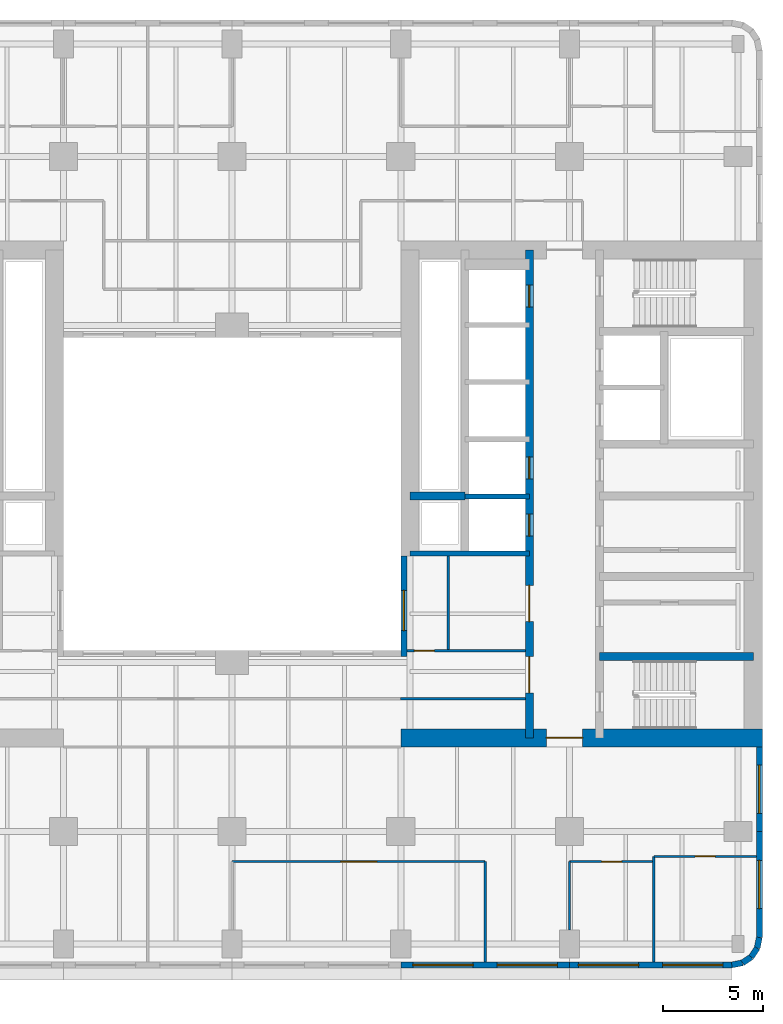
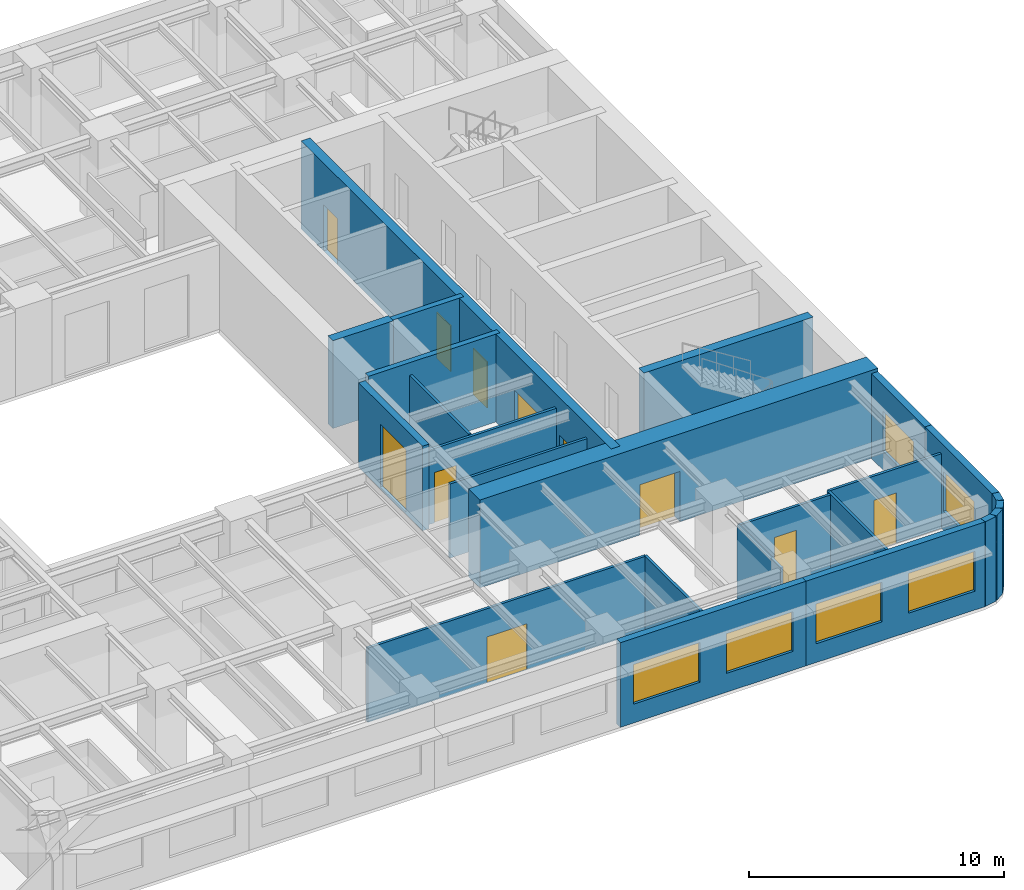
# One storey, part 5 of 11: 24 walls, 10 doors, 7 windows, 17 openings.
"""IFC4 building model written with IfcOpenShell, lengths in metres."""

from ifc_helpers import new_model, si_unit, direction, frame, frame_2d, origin, place, context, subcontext, project, spatial, rectangle, extrude, material, layer, layer_set, type_object, element, fill, save


model = new_model("IFC4")

# Units and contexts
model_context = context("Model", 3, precision=1e-05, world=origin(), true_north=direction((0.0, 1.0)))
body_context = subcontext(model_context, "Body", "Model", "MODEL_VIEW")
ifc_project = project(units=[si_unit("LENGTHUNIT", "METRE"), si_unit("AREAUNIT", "SQUARE_METRE"), si_unit("VOLUMEUNIT", "CUBIC_METRE"), si_unit("PLANEANGLEUNIT", "RADIAN"), si_unit("MASSUNIT", "GRAM", prefix="KILO")], contexts=[model_context])

# Site, building, storey
site_placement = place(None, origin())
site = spatial("IfcSite", under=ifc_project, at=site_placement, CompositionType="ELEMENT")
building_placement = place(site_placement, origin())
building = spatial("IfcBuilding", under=site, at=building_placement, Name="Claustro Exchange Tower", CompositionType="ELEMENT")
storey_placement = place(building_placement, frame((0.0, 0.0, 142.800048828125)))
storey = spatial("IfcBuildingStorey", under=building, at=storey_placement, Name="L32", CompositionType="ELEMENT", Elevation=142.800048828125)

# Wall, opening, door
ifc_material_1 = material(Name="Laminated glass in aluminium frame", Category="aluminium")
ifc_layer_1 = layer(ifc_material_1, 0.1201171875)
ifc_layer_set_1 = layer_set([ifc_layer_1], Name="Laminated glass in aluminium frame")
wall_type_1 = type_object("IfcWallType", Name="P2 120 glazed partition", PredefinedType="PARTITIONING", material=ifc_layer_set_1)
wall_1_placement = place(storey_placement, frame((33.89794921875, 17.39990234375, 0.0), z_axis=(0.0, 0.0, 1.0), x_axis=(1.0, 0.0, 0.0)))
wall_1 = element("IfcWall", 1, at=wall_1_placement, inside=storey, type_object=wall_type_1, Name="Partition P2 L32", PredefinedType="PARTITIONING", context=body_context, shape_type="SweptSolid", body=[
    extrude(rectangle(XDim=5.904052734375, YDim=0.1201171875, at=frame_2d((2.9521484375, 0.0))), origin(), (0.0, 0.0, 1.0), 3.550048828125),
])
opening_1_placement = place(wall_1_placement, frame((0.3798828125, 0.0, 0.0)))
opening_1 = element("IfcOpeningElement", 2, at=opening_1_placement, cuts=wall_1, Name="Opening D7", PredefinedType="OPENING", context=body_context, shape_type="SweptSolid", body=[
    extrude(rectangle(XDim=1.0, YDim=2.39990234375, at=frame_2d((0.5, 1.199951171875))), frame((0.0, 0.070068359375, 0.0), z_axis=(0.0, -1.0, 0.0), x_axis=(1.0, 0.0, 0.0)), (0.0, 0.0, 1.0), 0.14013671875),
])
ifc_material_2 = material(Name="Glass door in aluminium frame", Category="aluminium")
door_type_1 = type_object("IfcDoorType", Name="D7 1000 x 2400 glazed door", OperationType="SINGLE_SWING_LEFT", PredefinedType="DOOR", material=ifc_material_2)
door_1_placement = place(opening_1_placement, origin())
door_1 = element("IfcDoor", 3, at=door_1_placement, inside=storey, type_object=door_type_1, Name="Door D7 L32", OperationType="SINGLE_SWING_RIGHT", OverallHeight=2.39990234375, OverallWidth=1.0, PredefinedType="DOOR", context=body_context, shape_type="SweptSolid", body=[
    extrude(rectangle(XDim=1.0, YDim=2.39990234375, at=frame_2d((0.5, 1.199951171875))), frame((0.0, 0.02490234375, 0.0), z_axis=(0.0, -1.0, 0.0), x_axis=(1.0, 0.0, 0.0)), (0.0, 0.0, 1.0), 0.050048828125),
])
fill(opening_1, door_1)

# Wall
wall_2_placement = place(storey_placement, frame((35.9560546875, 17.4580078125, 0.0), z_axis=(0.0, 0.0, 1.0), x_axis=(0.0, 1.0, 0.0)))
element("IfcWall", 4, at=wall_2_placement, inside=storey, type_object=wall_type_1, Name="Partition P2 L32", PredefinedType="PARTITIONING", context=body_context, shape_type="SweptSolid", body=[
    extrude(rectangle(XDim=4.64404296875, YDim=0.1201171875, at=frame_2d((2.322021484375, 0.0))), origin(), (0.0, 0.0, 1.0), 3.599853515625),
])

# Wall, opening, door
wall_3_placement = place(storey_placement, frame((25.199951171875, 6.89990234375, 0.0), z_axis=(0.0, 0.0, 1.0), x_axis=(1.0, 0.0, 0.0)))
wall_3 = element("IfcWall", 5, at=wall_3_placement, inside=storey, type_object=wall_type_1, Name="Partition P2 L32", PredefinedType="PARTITIONING", context=body_context, shape_type="SweptSolid", body=[
    extrude(rectangle(XDim=12.60009765625, YDim=0.1201171875, at=frame_2d((6.300048828125, 0.0))), origin(), (0.0, 0.0, 1.0), 3.550048828125),
])
opening_2_placement = place(wall_3_placement, frame((5.39990234375, 0.0, 0.0)))
opening_2 = element("IfcOpeningElement", 6, at=opening_2_placement, cuts=wall_3, Name="Opening D2", PredefinedType="OPENING", context=body_context, shape_type="SweptSolid", body=[
    extrude(rectangle(XDim=1.800048828125, YDim=2.199951171875, at=frame_2d((0.89990234375, 1.10009765625))), frame((0.0, 0.070068359375, 0.0), z_axis=(0.0, -1.0, 0.0), x_axis=(1.0, 0.0, 0.0)), (0.0, 0.0, 1.0), 0.14013671875),
])
ifc_material_3 = material(Name="Timber door, oak veneer", Category="wood")
door_type_2 = type_object("IfcDoorType", Name="D2 1800 x 2200 double door", OperationType="DOUBLE_DOOR_SINGLE_SWING", PredefinedType="DOOR", material=ifc_material_3)
door_2_placement = place(opening_2_placement, frame((1.800048828125, 0.0, 0.0), z_axis=(0.0, 0.0, 1.0), x_axis=(-1.0, 0.0, 0.0)))
door_2 = element("IfcDoor", 7, at=door_2_placement, inside=storey, type_object=door_type_2, Name="Double door D2 L32", OperationType="DOUBLE_DOOR_SINGLE_SWING", OverallHeight=2.199951171875, OverallWidth=1.800048828125, PredefinedType="DOOR", context=body_context, shape_type="SweptSolid", body=[
    extrude(rectangle(XDim=1.800048828125, YDim=2.199951171875, at=frame_2d((0.89990234375, 1.10009765625))), frame((0.0, 0.02490234375, 0.0), z_axis=(0.0, -1.0, 0.0), x_axis=(1.0, 0.0, 0.0)), (0.0, 0.0, 1.0), 0.050048828125),
])
fill(opening_2, door_2)

# Wall
wall_4_placement = place(storey_placement, frame((37.800048828125, 1.89794921875, 0.0), z_axis=(0.0, 0.0, 1.0), x_axis=(0.0, 1.0, 0.0)))
element("IfcWall", 8, at=wall_4_placement, inside=storey, type_object=wall_type_1, Name="Partition P2 L32", PredefinedType="PARTITIONING", context=body_context, shape_type="SweptSolid", body=[
    extrude(rectangle(XDim=5.001953125, YDim=0.1201171875, at=frame_2d((2.5009765625, 0.0))), origin(), (0.0, 0.0, 1.0), 3.56005859375),
])

# Wall, opening, door
wall_5_placement = place(storey_placement, frame((46.199951171875, 7.14990234375, 0.0), z_axis=(0.0, 0.0, 1.0), x_axis=(1.0, 0.0, 0.0)))
wall_5 = element("IfcWall", 9, at=wall_5_placement, inside=storey, type_object=wall_type_1, Name="Partition P2 L32", PredefinedType="PARTITIONING", context=body_context, shape_type="SweptSolid", body=[
    extrude(rectangle(XDim=5.10205078125, YDim=0.1201171875, at=frame_2d((2.551025390625, 0.0))), origin(), (0.0, 0.0, 1.0), 3.56005859375),
])
opening_3_placement = place(wall_5_placement, frame((2.050048828125, 0.0, 0.0)))
opening_3 = element("IfcOpeningElement", 10, at=opening_3_placement, cuts=wall_5, Name="Opening D7", PredefinedType="OPENING", context=body_context, shape_type="SweptSolid", body=[
    extrude(rectangle(XDim=1.0, YDim=2.39990234375, at=frame_2d((0.5, 1.199951171875))), frame((0.0, 0.070068359375, 0.0), z_axis=(0.0, -1.0, 0.0), x_axis=(1.0, 0.0, 0.0)), (0.0, 0.0, 1.0), 0.14013671875),
])
door_3_placement = place(opening_3_placement, frame((1.0, 0.0, 0.0), z_axis=(0.0, 0.0, 1.0), x_axis=(-1.0, 0.0, 0.0)))
door_3 = element("IfcDoor", 11, at=door_3_placement, inside=storey, type_object=door_type_1, Name="Door D7 L32", OperationType="SINGLE_SWING_RIGHT", OverallHeight=2.39990234375, OverallWidth=1.0, PredefinedType="DOOR", context=body_context, shape_type="SweptSolid", body=[
    extrude(rectangle(XDim=1.0, YDim=2.39990234375, at=frame_2d((0.5, 1.199951171875))), frame((0.0, 0.02490234375, 0.0), z_axis=(0.0, -1.0, 0.0), x_axis=(1.0, 0.0, 0.0)), (0.0, 0.0, 1.0), 0.050048828125),
])
fill(opening_3, door_3)

wall_6_placement = place(storey_placement, frame((42.0, 6.89990234375, 0.0), z_axis=(0.0, 0.0, 1.0), x_axis=(1.0, 0.0, 0.0)))
wall_6 = element("IfcWall", 12, at=wall_6_placement, inside=storey, type_object=wall_type_1, Name="Partition P2 L32", PredefinedType="PARTITIONING", context=body_context, shape_type="SweptSolid", body=[
    extrude(rectangle(XDim=4.14208984375, YDim=0.1201171875, at=frame_2d((2.071044921875, 0.0))), origin(), (0.0, 0.0, 1.0), 3.550048828125),
])
opening_4_placement = place(wall_6_placement, frame((1.60009765625, 0.0, 0.0)))
opening_4 = element("IfcOpeningElement", 13, at=opening_4_placement, cuts=wall_6, Name="Opening D7", PredefinedType="OPENING", context=body_context, shape_type="SweptSolid", body=[
    extrude(rectangle(XDim=1.0, YDim=2.39990234375, at=frame_2d((0.5, 1.199951171875))), frame((0.0, 0.070068359375, 0.0), z_axis=(0.0, -1.0, 0.0), x_axis=(1.0, 0.0, 0.0)), (0.0, 0.0, 1.0), 0.14013671875),
])
door_4_placement = place(opening_4_placement, frame((1.0, 0.0, 0.0), z_axis=(0.0, 0.0, 1.0), x_axis=(-1.0, 0.0, 0.0)))
door_4 = element("IfcDoor", 14, at=door_4_placement, inside=storey, type_object=door_type_1, Name="Door D7 L32", OperationType="SINGLE_SWING_RIGHT", OverallHeight=2.39990234375, OverallWidth=1.0, PredefinedType="DOOR", context=body_context, shape_type="SweptSolid", body=[
    extrude(rectangle(XDim=1.0, YDim=2.39990234375, at=frame_2d((0.5, 1.199951171875))), frame((0.0, 0.02490234375, 0.0), z_axis=(0.0, -1.0, 0.0), x_axis=(1.0, 0.0, 0.0)), (0.0, 0.0, 1.0), 0.050048828125),
])
fill(opening_4, door_4)

# Walls
wall_7_placement = place(storey_placement, frame((42.0, 3.4990234375, 0.0), z_axis=(0.0, 0.0, 1.0), x_axis=(0.0, 1.0, 0.0)))
element("IfcWall", 15, at=wall_7_placement, inside=storey, type_object=wall_type_1, Name="Partition P2 L32", PredefinedType="PARTITIONING", context=body_context, shape_type="SweptSolid", body=[
    extrude(rectangle(XDim=3.40087890625, YDim=0.1201171875, at=frame_2d((1.700439453125, 0.0))), origin(), (0.0, 0.0, 1.0), 3.550048828125),
])
wall_8_placement = place(storey_placement, frame((46.199951171875, 1.89794921875, 0.0), z_axis=(0.0, 0.0, 1.0), x_axis=(0.0, 1.0, 0.0)))
element("IfcWall", 16, at=wall_8_placement, inside=storey, type_object=wall_type_1, Name="Partition P2 L32", PredefinedType="PARTITIONING", context=body_context, shape_type="SweptSolid", body=[
    extrude(rectangle(XDim=5.251953125, YDim=0.1201171875, at=frame_2d((2.6259765625, 0.0))), origin(), (0.0, 0.0, 1.0), 3.56005859375),
])
wall_9_placement = place(storey_placement, frame((33.597900390625, 15.0, 0.0), z_axis=(0.0, 0.0, 1.0), x_axis=(1.0, 0.0, 0.0)))
element("IfcWall", 17, at=wall_9_placement, inside=storey, type_object=wall_type_1, Name="Partition P2 L32", PredefinedType="PARTITIONING", context=body_context, shape_type="SweptSolid", body=[
    extrude(rectangle(XDim=6.2041015625, YDim=0.1201171875, at=frame_2d((3.10205078125, 0.0))), origin(), (0.0, 0.0, 1.0), 3.550048828125),
])

# Wall, openings, windows
ifc_material_4 = material(Name="Concrete HA-40 (C40/50), precast, white cement, acid-etched", Category="concrete")
ifc_layer_2 = layer(ifc_material_4, 0.300048828125)
ifc_layer_set_2 = layer_set([ifc_layer_2], Name="Concrete HA-40 (C40/50), precast, white cement, acid-etched")
wall_type_2 = type_object("IfcWallType", Name="PC1 300 precast concrete pier panel", PredefinedType="SOLIDWALL", material=ifc_layer_set_2)
wall_10_placement = place(storey_placement, frame((50.085205078125, 1.75, 0.0), z_axis=(0.0, 0.0, 1.0), x_axis=(-1.0, 0.0, 0.0)))
wall_10 = element("IfcWall", 18, at=wall_10_placement, inside=storey, type_object=wall_type_2, Name="Precast pier panel PC1 L32", PredefinedType="SOLIDWALL", context=body_context, shape_type="SweptSolid", body=[
    extrude(rectangle(XDim=8.085205078125, YDim=0.300048828125, at=frame_2d((4.04248046875, 0.0))), origin(), (0.0, 0.0, 1.0), 4.050048828125),
])
opening_5_placement = place(wall_10_placement, frame((0.442626953125, 0.0, 0.89990234375)))
opening_5 = element("IfcOpeningElement", 19, at=opening_5_placement, cuts=wall_10, Name="Opening W1", PredefinedType="OPENING", context=body_context, shape_type="SweptSolid", body=[
    extrude(rectangle(XDim=3.0, YDim=1.89990234375, at=frame_2d((1.5, 0.949951171875))), frame((0.0, 0.159912109375, 0.0), z_axis=(0.0, -1.0, 0.0), x_axis=(1.0, 0.0, 0.0)), (0.0, 0.0, 1.0), 0.320068359375),
])
opening_6_placement = place(wall_10_placement, frame((4.642578125, 0.0, 0.89990234375)))
opening_6 = element("IfcOpeningElement", 20, at=opening_6_placement, cuts=wall_10, Name="Opening W1", PredefinedType="OPENING", context=body_context, shape_type="SweptSolid", body=[
    extrude(rectangle(XDim=3.0, YDim=1.89990234375, at=frame_2d((1.5, 0.949951171875))), frame((0.0, 0.159912109375, 0.0), z_axis=(0.0, -1.0, 0.0), x_axis=(1.0, 0.0, 0.0)), (0.0, 0.0, 1.0), 0.320068359375),
])
ifc_material_5 = material(Name="Aluminium frame, clear double glazing", Category="aluminium")
window_type_1 = type_object("IfcWindowType", Name="W1 3000 x 1900 window", PartitioningType="SINGLE_PANEL", PredefinedType="WINDOW", material=ifc_material_5)
window_1_placement = place(opening_5_placement, origin())
window_1 = element("IfcWindow", 21, at=window_1_placement, inside=storey, type_object=window_type_1, Name="Window W1 L32", OverallHeight=1.89990234375, OverallWidth=3.0, PartitioningType="SINGLE_PANEL", PredefinedType="WINDOW", context=body_context, shape_type="SweptSolid", body=[
    extrude(rectangle(XDim=3.0, YDim=1.89990234375, at=frame_2d((1.5, 0.949951171875))), frame((0.0, 0.030029296875, 0.0), z_axis=(0.0, -1.0, 0.0), x_axis=(1.0, 0.0, 0.0)), (0.0, 0.0, 1.0), 0.06005859375),
])
fill(opening_5, window_1)
window_2_placement = place(opening_6_placement, origin())
window_2 = element("IfcWindow", 22, at=window_2_placement, inside=storey, type_object=window_type_1, Name="Window W1 L32", OverallHeight=1.89990234375, OverallWidth=3.0, PartitioningType="SINGLE_PANEL", PredefinedType="WINDOW", context=body_context, shape_type="SweptSolid", body=[
    extrude(rectangle(XDim=3.0, YDim=1.89990234375, at=frame_2d((1.5, 0.949951171875))), frame((0.0, 0.030029296875, 0.0), z_axis=(0.0, -1.0, 0.0), x_axis=(1.0, 0.0, 0.0)), (0.0, 0.0, 1.0), 0.06005859375),
])
fill(opening_6, window_2)

wall_11_placement = place(storey_placement, frame((42.0, 1.75, 0.0), z_axis=(0.0, 0.0, 1.0), x_axis=(-1.0, 0.0, 0.0)))
wall_11 = element("IfcWall", 23, at=wall_11_placement, inside=storey, type_object=wall_type_2, Name="Precast pier panel PC1 L32", PredefinedType="SOLIDWALL", context=body_context, shape_type="SweptSolid", body=[
    extrude(rectangle(XDim=8.39990234375, YDim=0.300048828125, at=frame_2d((4.199951171875, 0.0))), origin(), (0.0, 0.0, 1.0), 4.050048828125),
])
opening_7_placement = place(wall_11_placement, frame((0.60009765625, 0.0, 0.89990234375)))
opening_7 = element("IfcOpeningElement", 24, at=opening_7_placement, cuts=wall_11, Name="Opening W1", PredefinedType="OPENING", context=body_context, shape_type="SweptSolid", body=[
    extrude(rectangle(XDim=3.0, YDim=1.89990234375, at=frame_2d((1.5, 0.949951171875))), frame((0.0, 0.159912109375, 0.0), z_axis=(0.0, -1.0, 0.0), x_axis=(1.0, 0.0, 0.0)), (0.0, 0.0, 1.0), 0.320068359375),
])
opening_8_placement = place(wall_11_placement, frame((4.800048828125, 0.0, 0.89990234375)))
opening_8 = element("IfcOpeningElement", 25, at=opening_8_placement, cuts=wall_11, Name="Opening W1", PredefinedType="OPENING", context=body_context, shape_type="SweptSolid", body=[
    extrude(rectangle(XDim=3.0, YDim=1.89990234375, at=frame_2d((1.5, 0.949951171875))), frame((0.0, 0.159912109375, 0.0), z_axis=(0.0, -1.0, 0.0), x_axis=(1.0, 0.0, 0.0)), (0.0, 0.0, 1.0), 0.320068359375),
])
window_3_placement = place(opening_7_placement, origin())
window_3 = element("IfcWindow", 26, at=window_3_placement, inside=storey, type_object=window_type_1, Name="Window W1 L32", OverallHeight=1.89990234375, OverallWidth=3.0, PartitioningType="SINGLE_PANEL", PredefinedType="WINDOW", context=body_context, shape_type="SweptSolid", body=[
    extrude(rectangle(XDim=3.0, YDim=1.89990234375, at=frame_2d((1.5, 0.949951171875))), frame((0.0, 0.030029296875, 0.0), z_axis=(0.0, -1.0, 0.0), x_axis=(1.0, 0.0, 0.0)), (0.0, 0.0, 1.0), 0.06005859375),
])
fill(opening_7, window_3)
window_4_placement = place(opening_8_placement, origin())
window_4 = element("IfcWindow", 27, at=window_4_placement, inside=storey, type_object=window_type_1, Name="Window W1 L32", OverallHeight=1.89990234375, OverallWidth=3.0, PartitioningType="SINGLE_PANEL", PredefinedType="WINDOW", context=body_context, shape_type="SweptSolid", body=[
    extrude(rectangle(XDim=3.0, YDim=1.89990234375, at=frame_2d((1.5, 0.949951171875))), frame((0.0, 0.030029296875, 0.0), z_axis=(0.0, -1.0, 0.0), x_axis=(1.0, 0.0, 0.0)), (0.0, 0.0, 1.0), 0.06005859375),
])
fill(opening_8, window_4)

# Wall, opening, window
wall_12_placement = place(storey_placement, frame((51.449951171875, 12.60009765625, 0.0), z_axis=(0.0, 0.0, 1.0), x_axis=(0.0, -1.0, 0.0)))
wall_12 = element("IfcWall", 28, at=wall_12_placement, inside=storey, type_object=wall_type_2, Name="Precast pier panel PC1 L32", PredefinedType="SOLIDWALL", context=body_context, shape_type="SweptSolid", body=[
    extrude(rectangle(XDim=4.2001953125, YDim=0.300048828125, at=frame_2d((2.10009765625, 0.0))), origin(), (0.0, 0.0, 1.0), 4.050048828125),
])
opening_9_placement = place(wall_12_placement, frame((0.89990234375, 0.0, 0.89990234375)))
opening_9 = element("IfcOpeningElement", 29, at=opening_9_placement, cuts=wall_12, Name="Opening W2", PredefinedType="OPENING", context=body_context, shape_type="SweptSolid", body=[
    extrude(rectangle(XDim=2.39990234375, YDim=1.89990234375, at=frame_2d((1.199951171875, 0.949951171875))), frame((0.0, 0.159912109375, 0.0), z_axis=(0.0, -1.0, 0.0), x_axis=(1.0, 0.0, 0.0)), (0.0, 0.0, 1.0), 0.320068359375),
])
ifc_material_6 = material(Name="Aluminium frame, clear double glazing", Category="aluminium")
window_type_2 = type_object("IfcWindowType", Name="W2 2400 x 1900 window", PartitioningType="SINGLE_PANEL", PredefinedType="WINDOW", material=ifc_material_6)
window_5_placement = place(opening_9_placement, origin())
window_5 = element("IfcWindow", 30, at=window_5_placement, inside=storey, type_object=window_type_2, Name="Window W2 L32", OverallHeight=1.89990234375, OverallWidth=2.39990234375, PartitioningType="SINGLE_PANEL", PredefinedType="WINDOW", context=body_context, shape_type="SweptSolid", body=[
    extrude(rectangle(XDim=2.39990234375, YDim=1.89990234375, at=frame_2d((1.199951171875, 0.949951171875))), frame((0.0, 0.030029296875, 0.0), z_axis=(0.0, -1.0, 0.0), x_axis=(1.0, 0.0, 0.0)), (0.0, 0.0, 1.0), 0.06005859375),
])
fill(opening_9, window_5)

wall_13_placement = place(storey_placement, frame((51.449951171875, 8.39990234375, 0.0), z_axis=(0.0, 0.0, 1.0), x_axis=(0.0, -1.0, 0.0)))
wall_13 = element("IfcWall", 31, at=wall_13_placement, inside=storey, type_object=wall_type_2, Name="Precast pier panel PC1 L32", PredefinedType="SOLIDWALL", context=body_context, shape_type="SweptSolid", body=[
    extrude(rectangle(XDim=5.28515625, YDim=0.300048828125, at=frame_2d((2.642578125, 0.0))), origin(), (0.0, 0.0, 1.0), 4.050048828125),
])
opening_10_placement = place(wall_13_placement, frame((1.442626953125, 0.0, 0.89990234375)))
opening_10 = element("IfcOpeningElement", 32, at=opening_10_placement, cuts=wall_13, Name="Opening W2", PredefinedType="OPENING", context=body_context, shape_type="SweptSolid", body=[
    extrude(rectangle(XDim=2.39990234375, YDim=1.89990234375, at=frame_2d((1.199951171875, 0.949951171875))), frame((0.0, 0.159912109375, 0.0), z_axis=(0.0, -1.0, 0.0), x_axis=(1.0, 0.0, 0.0)), (0.0, 0.0, 1.0), 0.320068359375),
])
window_6_placement = place(opening_10_placement, origin())
window_6 = element("IfcWindow", 33, at=window_6_placement, inside=storey, type_object=window_type_2, Name="Window W2 L32", OverallHeight=1.89990234375, OverallWidth=2.39990234375, PartitioningType="SINGLE_PANEL", PredefinedType="WINDOW", context=body_context, shape_type="SweptSolid", body=[
    extrude(rectangle(XDim=2.39990234375, YDim=1.89990234375, at=frame_2d((1.199951171875, 0.949951171875))), frame((0.0, 0.030029296875, 0.0), z_axis=(0.0, -1.0, 0.0), x_axis=(1.0, 0.0, 0.0)), (0.0, 0.0, 1.0), 0.06005859375),
])
fill(opening_10, window_6)

# Walls
wall_14_placement = place(storey_placement, frame((51.449951171875, 3.11474609375, 0.0), z_axis=(0.0, 0.0, 1.0), x_axis=(-0.195073962632, -0.980788534345, 0.0)))
element("IfcWall", 34, at=wall_14_placement, inside=storey, type_object=wall_type_2, Name="Precast pier panel PC1 L32", PredefinedType="SOLIDWALL", context=body_context, shape_type="SweptSolid", body=[
    extrude(rectangle(XDim=0.540771484375, YDim=0.300048828125, at=frame_2d((0.2705078125, 0.0))), origin(), (0.0, 0.0, 1.0), 4.050048828125),
])
for number, where, z_axis, x_axis, name in (
    (35, (51.344482421875, 2.58447265625, 0.0), (0.0, 0.0, 1.0), (-0.555557463938, -0.831478144188, 0.0), "Precast pier panel PC1 L32"),
    (36, (51.052490234375, 2.1474609375, 0.0), (0.0, 0.0, 1.0), (-0.831478144188, -0.555557463938, 0.0), "Precast pier panel PC1 L32"),
):
    element("IfcWall", number, at=place(storey_placement, frame(where, z_axis=z_axis, x_axis=x_axis)), inside=storey, type_object=wall_type_2, Name=name, PredefinedType="SOLIDWALL", context=body_context, shape_type="SweptSolid", body=[
        extrude(rectangle(XDim=0.525634765625, YDim=0.300048828125, at=frame_2d((0.2626953125, 0.0))), origin(), (0.0, 0.0, 1.0), 4.050048828125),
    ])
wall_15_placement = place(storey_placement, frame((50.615478515625, 1.85546875, 0.0), z_axis=(0.0, 0.0, 1.0), x_axis=(-0.980788534345, -0.195073962632, 0.0)))
element("IfcWall", 37, at=wall_15_placement, inside=storey, type_object=wall_type_2, Name="Precast pier panel PC1 L32", PredefinedType="SOLIDWALL", context=body_context, shape_type="SweptSolid", body=[
    extrude(rectangle(XDim=0.540771484375, YDim=0.300048828125, at=frame_2d((0.2705078125, 0.0))), origin(), (0.0, 0.0, 1.0), 4.050048828125),
])

# Wall, opening, window
wall_16_placement = place(storey_placement, frame((33.75, 17.10009765625, 0.0), z_axis=(0.0, 0.0, 1.0), x_axis=(0.0, 1.0, 0.0)))
wall_16 = element("IfcWall", 38, at=wall_16_placement, inside=storey, type_object=wall_type_2, Name="Precast pier panel PC1 L32", PredefinedType="SOLIDWALL", context=body_context, shape_type="SweptSolid", body=[
    extrude(rectangle(XDim=5.0, YDim=0.300048828125, at=frame_2d((2.5, 0.0))), origin(), (0.0, 0.0, 1.0), 4.050048828125),
])
opening_11_placement = place(wall_16_placement, frame((1.300048828125, 0.0, 0.10009765625)))
opening_11 = element("IfcOpeningElement", 39, at=opening_11_placement, cuts=wall_16, Name="Opening W-A", PredefinedType="OPENING", context=body_context, shape_type="SweptSolid", body=[
    extrude(rectangle(XDim=2.0, YDim=3.0, at=frame_2d((1.0, 1.5))), frame((0.0, 0.159912109375, 0.0), z_axis=(0.0, -1.0, 0.0), x_axis=(1.0, 0.0, 0.0)), (0.0, 0.0, 1.0), 0.320068359375),
])
ifc_material_7 = material(Name="Aluminium frame, clear double glazing", Category="aluminium")
window_type_3 = type_object("IfcWindowType", Name="W-A 2000 x 3000 arcade window", PartitioningType="SINGLE_PANEL", PredefinedType="WINDOW", material=ifc_material_7)
window_7_placement = place(opening_11_placement, origin())
window_7 = element("IfcWindow", 40, at=window_7_placement, inside=storey, type_object=window_type_3, Name="Window W-A L32", OverallHeight=3.0, OverallWidth=2.0, PartitioningType="SINGLE_PANEL", PredefinedType="WINDOW", context=body_context, shape_type="SweptSolid", body=[
    extrude(rectangle(XDim=2.0, YDim=3.0, at=frame_2d((1.0, 1.5))), frame((0.0, 0.030029296875, 0.0), z_axis=(0.0, -1.0, 0.0), x_axis=(1.0, 0.0, 0.0)), (0.0, 0.0, 1.0), 0.06005859375),
])
fill(opening_11, window_7)

# Wall, opening, door
ifc_material_8 = material(Name="Concrete HA-70 (C70/85)", Category="concrete")
ifc_layer_3 = layer(ifc_material_8, 0.89990234375)
ifc_layer_set_3 = layer_set([ifc_layer_3], Name="Concrete HA-70 (C70/85)")
wall_type_3 = type_object("IfcWallType", Name="SW1 900 core shear wall", PredefinedType="SHEAR", material=ifc_layer_set_3)
wall_17_placement = place(storey_placement, frame((33.60009765625, 13.050048828125, 0.0), z_axis=(0.0, 0.0, 1.0), x_axis=(1.0, 0.0, 0.0)))
wall_17 = element("IfcWall", 41, at=wall_17_placement, inside=storey, type_object=wall_type_3, Name="Core wall SW1 E core S face L32", PredefinedType="SHEAR", context=body_context, shape_type="SweptSolid", body=[
    extrude(rectangle(XDim=18.0, YDim=0.89990234375, at=frame_2d((9.0, 0.0))), origin(), (0.0, 0.0, 1.0), 4.199951171875),
])
opening_12_placement = place(wall_17_placement, frame((7.25, 0.0, 0.0)))
opening_12 = element("IfcOpeningElement", 42, at=opening_12_placement, cuts=wall_17, Name="Opening D3", PredefinedType="OPENING", context=body_context, shape_type="SweptSolid", body=[
    extrude(rectangle(XDim=1.800048828125, YDim=2.39990234375, at=frame_2d((0.89990234375, 1.199951171875))), frame((0.0, 0.4599609375, 0.0), z_axis=(0.0, -1.0, 0.0), x_axis=(1.0, 0.0, 0.0)), (0.0, 0.0, 1.0), 0.919921875),
])
ifc_material_9 = material(Name="Steel fire door, painted", Category="steel")
door_type_3 = type_object("IfcDoorType", Name="D3 1800 x 2400 fire-rated lobby double door", OperationType="DOUBLE_DOOR_SINGLE_SWING", PredefinedType="DOOR", material=ifc_material_9)
door_5_placement = place(opening_12_placement, frame((1.800048828125, 0.0, 0.0), z_axis=(0.0, 0.0, 1.0), x_axis=(-1.0, 0.0, 0.0)))
door_5 = element("IfcDoor", 43, at=door_5_placement, inside=storey, type_object=door_type_3, Name="Lift lobby door D3 L32", OperationType="DOUBLE_DOOR_SINGLE_SWING", OverallHeight=2.39990234375, OverallWidth=1.800048828125, PredefinedType="DOOR", context=body_context, shape_type="SweptSolid", body=[
    extrude(rectangle(XDim=1.800048828125, YDim=2.39990234375, at=frame_2d((0.89990234375, 1.199951171875))), frame((0.0, 0.02490234375, 0.0), z_axis=(0.0, -1.0, 0.0), x_axis=(1.0, 0.0, 0.0)), (0.0, 0.0, 1.0), 0.050048828125),
])
fill(opening_12, door_5)

# Wall, openings, doors
ifc_material_10 = material(Name="Concrete HA-50 (C50/60)", Category="concrete")
ifc_layer_4 = layer(ifc_material_10, 0.39990234375)
ifc_layer_set_4 = layer_set([ifc_layer_4], Name="Concrete HA-50 (C50/60)")
wall_type_4 = type_object("IfcWallType", Name="SW4 400 internal core wall", PredefinedType="SHEAR", material=ifc_layer_set_4)
wall_18_placement = place(storey_placement, frame((40.0, 13.050048828125, 0.0), z_axis=(0.0, 0.0, 1.0), x_axis=(0.0, 1.0, 0.0)))
wall_18 = element("IfcWall", 44, at=wall_18_placement, inside=storey, type_object=wall_type_4, Name="Internal core wall SW4 E core L32", PredefinedType="SHEAR", context=body_context, shape_type="SweptSolid", body=[
    extrude(rectangle(XDim=24.300048828125, YDim=0.39990234375, at=frame_2d((12.14990234375, 0.0))), origin(), (0.0, 0.0, 1.0), 4.199951171875),
])
opening_13_placement = place(wall_18_placement, frame((10.050048828125, 0.0, 0.0)))
opening_13 = element("IfcOpeningElement", 45, at=opening_13_placement, cuts=wall_18, Name="Opening LD", PredefinedType="OPENING", context=body_context, shape_type="SweptSolid", body=[
    extrude(rectangle(XDim=1.10009765625, YDim=2.199951171875, at=frame_2d((0.550048828125, 1.10009765625))), frame((0.0, 0.2099609375, 0.0), z_axis=(0.0, -1.0, 0.0), x_axis=(1.0, 0.0, 0.0)), (0.0, 0.0, 1.0), 0.419921875),
])
opening_14_placement = place(wall_18_placement, frame((12.89990234375, 0.0, 0.0)))
opening_14 = element("IfcOpeningElement", 46, at=opening_14_placement, cuts=wall_18, Name="Opening LD", PredefinedType="OPENING", context=body_context, shape_type="SweptSolid", body=[
    extrude(rectangle(XDim=1.10009765625, YDim=2.199951171875, at=frame_2d((0.550048828125, 1.10009765625))), frame((0.0, 0.2099609375, 0.0), z_axis=(0.0, -1.0, 0.0), x_axis=(1.0, 0.0, 0.0)), (0.0, 0.0, 1.0), 0.419921875),
])
opening_15_placement = place(wall_18_placement, frame((21.449951171875, 0.0, 0.0)))
opening_15 = element("IfcOpeningElement", 47, at=opening_15_placement, cuts=wall_18, Name="Opening LD", PredefinedType="OPENING", context=body_context, shape_type="SweptSolid", body=[
    extrude(rectangle(XDim=1.10009765625, YDim=2.199951171875, at=frame_2d((0.550048828125, 1.10009765625))), frame((0.0, 0.2099609375, 0.0), z_axis=(0.0, -1.0, 0.0), x_axis=(1.0, 0.0, 0.0)), (0.0, 0.0, 1.0), 0.419921875),
])
opening_16_placement = place(wall_18_placement, frame((2.25, 0.0, 0.0)))
opening_16 = element("IfcOpeningElement", 48, at=opening_16_placement, cuts=wall_18, Name="Opening D3", PredefinedType="OPENING", context=body_context, shape_type="SweptSolid", body=[
    extrude(rectangle(XDim=1.800048828125, YDim=2.39990234375, at=frame_2d((0.89990234375, 1.199951171875))), frame((0.0, 0.2099609375, 0.0), z_axis=(0.0, -1.0, 0.0), x_axis=(1.0, 0.0, 0.0)), (0.0, 0.0, 1.0), 0.419921875),
])
opening_17_placement = place(wall_18_placement, frame((5.800048828125, 0.0, 0.0)))
opening_17 = element("IfcOpeningElement", 49, at=opening_17_placement, cuts=wall_18, Name="Opening D3", PredefinedType="OPENING", context=body_context, shape_type="SweptSolid", body=[
    extrude(rectangle(XDim=1.800048828125, YDim=2.39990234375, at=frame_2d((0.89990234375, 1.199951171875))), frame((0.0, 0.2099609375, 0.0), z_axis=(0.0, -1.0, 0.0), x_axis=(1.0, 0.0, 0.0)), (0.0, 0.0, 1.0), 0.419921875),
])
door_6_placement = place(opening_16_placement, frame((1.800048828125, 0.0, 0.0), z_axis=(0.0, 0.0, 1.0), x_axis=(-1.0, 0.0, 0.0)))
door_6 = element("IfcDoor", 50, at=door_6_placement, inside=storey, type_object=door_type_3, Name="Core zone door D3 L32", OperationType="DOUBLE_DOOR_SINGLE_SWING", OverallHeight=2.39990234375, OverallWidth=1.800048828125, PredefinedType="DOOR", context=body_context, shape_type="SweptSolid", body=[
    extrude(rectangle(XDim=1.800048828125, YDim=2.39990234375, at=frame_2d((0.89990234375, 1.199951171875))), frame((0.0, 0.02490234375, 0.0), z_axis=(0.0, -1.0, 0.0), x_axis=(1.0, 0.0, 0.0)), (0.0, 0.0, 1.0), 0.050048828125),
])
fill(opening_16, door_6)
door_7_placement = place(opening_17_placement, origin())
door_7 = element("IfcDoor", 51, at=door_7_placement, inside=storey, type_object=door_type_3, Name="Core zone door D3 L32", OperationType="DOUBLE_DOOR_SINGLE_SWING", OverallHeight=2.39990234375, OverallWidth=1.800048828125, PredefinedType="DOOR", context=body_context, shape_type="SweptSolid", body=[
    extrude(rectangle(XDim=1.800048828125, YDim=2.39990234375, at=frame_2d((0.89990234375, 1.199951171875))), frame((0.0, 0.02490234375, 0.0), z_axis=(0.0, -1.0, 0.0), x_axis=(1.0, 0.0, 0.0)), (0.0, 0.0, 1.0), 0.050048828125),
])
fill(opening_17, door_7)
ifc_material_11 = material(Name="Stainless steel sliding door", Category="steel")
door_type_4 = type_object("IfcDoorType", Name="LD 1100 x 2200 lift landing door", OperationType="DOUBLE_DOOR_SLIDING", PredefinedType="DOOR", material=ifc_material_11)
door_8_placement = place(opening_13_placement, origin())
door_8 = element("IfcDoor", 52, at=door_8_placement, inside=storey, type_object=door_type_4, Name="Lift landing door LME1 LD L32", OperationType="DOUBLE_DOOR_SLIDING", OverallHeight=2.199951171875, OverallWidth=1.10009765625, PredefinedType="DOOR", context=body_context, shape_type="SweptSolid", body=[
    extrude(rectangle(XDim=1.10009765625, YDim=2.199951171875, at=frame_2d((0.550048828125, 1.10009765625))), frame((0.0, 0.02490234375, 0.0), z_axis=(0.0, -1.0, 0.0), x_axis=(1.0, 0.0, 0.0)), (0.0, 0.0, 1.0), 0.050048828125),
])
fill(opening_13, door_8)
door_9_placement = place(opening_14_placement, origin())
door_9 = element("IfcDoor", 53, at=door_9_placement, inside=storey, type_object=door_type_4, Name="Lift landing door LME2 LD L32", OperationType="DOUBLE_DOOR_SLIDING", OverallHeight=2.199951171875, OverallWidth=1.10009765625, PredefinedType="DOOR", context=body_context, shape_type="SweptSolid", body=[
    extrude(rectangle(XDim=1.10009765625, YDim=2.199951171875, at=frame_2d((0.550048828125, 1.10009765625))), frame((0.0, 0.02490234375, 0.0), z_axis=(0.0, -1.0, 0.0), x_axis=(1.0, 0.0, 0.0)), (0.0, 0.0, 1.0), 0.050048828125),
])
fill(opening_14, door_9)
door_10_placement = place(opening_15_placement, origin())
door_10 = element("IfcDoor", 54, at=door_10_placement, inside=storey, type_object=door_type_4, Name="Lift landing door LSE1 LD L32", OperationType="DOUBLE_DOOR_SLIDING", OverallHeight=2.199951171875, OverallWidth=1.10009765625, PredefinedType="DOOR", context=body_context, shape_type="SweptSolid", body=[
    extrude(rectangle(XDim=1.10009765625, YDim=2.199951171875, at=frame_2d((0.550048828125, 1.10009765625))), frame((0.0, 0.02490234375, 0.0), z_axis=(0.0, -1.0, 0.0), x_axis=(1.0, 0.0, 0.0)), (0.0, 0.0, 1.0), 0.050048828125),
])
fill(opening_15, door_10)

# Walls
wall_19_placement = place(storey_placement, frame((51.14990234375, 17.10009765625, 0.0), z_axis=(0.0, 0.0, 1.0), x_axis=(-1.0, 0.0, 0.0)))
element("IfcWall", 55, at=wall_19_placement, inside=storey, type_object=wall_type_4, Name="Internal core wall SW4 E core L32", PredefinedType="SHEAR", context=body_context, shape_type="SweptSolid", body=[
    extrude(rectangle(XDim=7.64990234375, YDim=0.39990234375, at=frame_2d((3.824951171875, 0.0))), origin(), (0.0, 0.0, 1.0), 4.199951171875),
])
wall_20_placement = place(storey_placement, frame((36.800048828125, 25.10009765625, 0.0), z_axis=(0.0, 0.0, 1.0), x_axis=(-1.0, 0.0, 0.0)))
element("IfcWall", 56, at=wall_20_placement, inside=storey, type_object=wall_type_4, Name="Internal core wall SW4 E core L32", PredefinedType="SHEAR", context=body_context, shape_type="SweptSolid", body=[
    extrude(rectangle(XDim=2.75, YDim=0.39990234375, at=frame_2d((1.375, 0.0))), origin(), (0.0, 0.0, 1.0), 4.199951171875),
])
ifc_material_12 = material(Name="Concrete HA-50 (C50/60)", Category="concrete")
ifc_layer_5 = layer(ifc_material_12, 0.25)
ifc_layer_set_5 = layer_set([ifc_layer_5], Name="Concrete HA-50 (C50/60)")
wall_type_5 = type_object("IfcWallType", Name="SW5 250 lift shaft divider wall", PredefinedType="SHEAR", material=ifc_layer_set_5)
wall_21_placement = place(storey_placement, frame((40.0, 22.22509765625, 0.0), z_axis=(0.0, 0.0, 1.0), x_axis=(-1.0, 0.0, 0.0)))
element("IfcWall", 57, at=wall_21_placement, inside=storey, type_object=wall_type_5, Name="Core step wall E core L32", PredefinedType="SHEAR", context=body_context, shape_type="SweptSolid", body=[
    extrude(rectangle(XDim=5.949951171875, YDim=0.25, at=frame_2d((2.97509765625, 0.0))), origin(), (0.0, 0.0, 1.0), 4.199951171875),
])
wall_22_placement = place(storey_placement, frame((40.0, 25.074951171875, 0.0), z_axis=(0.0, 0.0, 1.0), x_axis=(-1.0, 0.0, 0.0)))
element("IfcWall", 58, at=wall_22_placement, inside=storey, type_object=wall_type_5, Name="Lift shaft wall E core L32", PredefinedType="SHEAR", context=body_context, shape_type="SweptSolid", body=[
    extrude(rectangle(XDim=3.199951171875, YDim=0.25, at=frame_2d((1.60009765625, 0.0))), origin(), (0.0, 0.0, 1.0), 4.199951171875),
])

save(model, "model.ifc")
